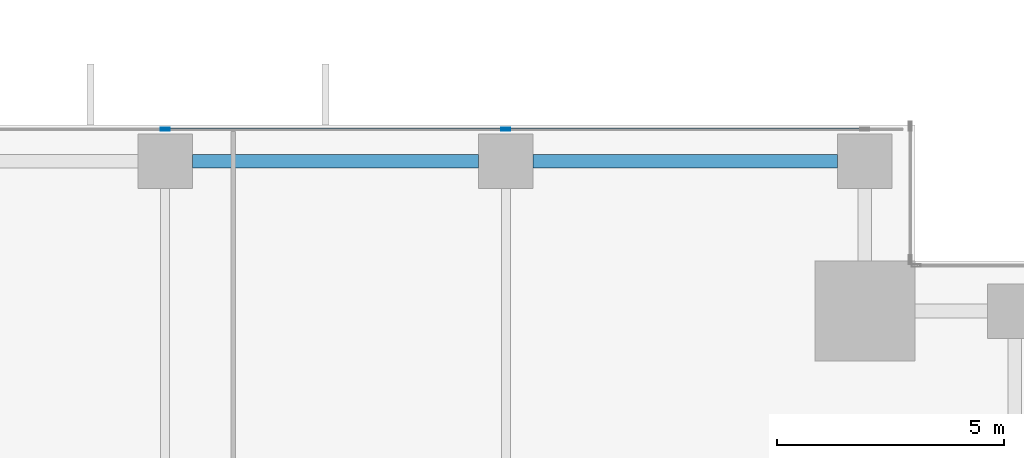
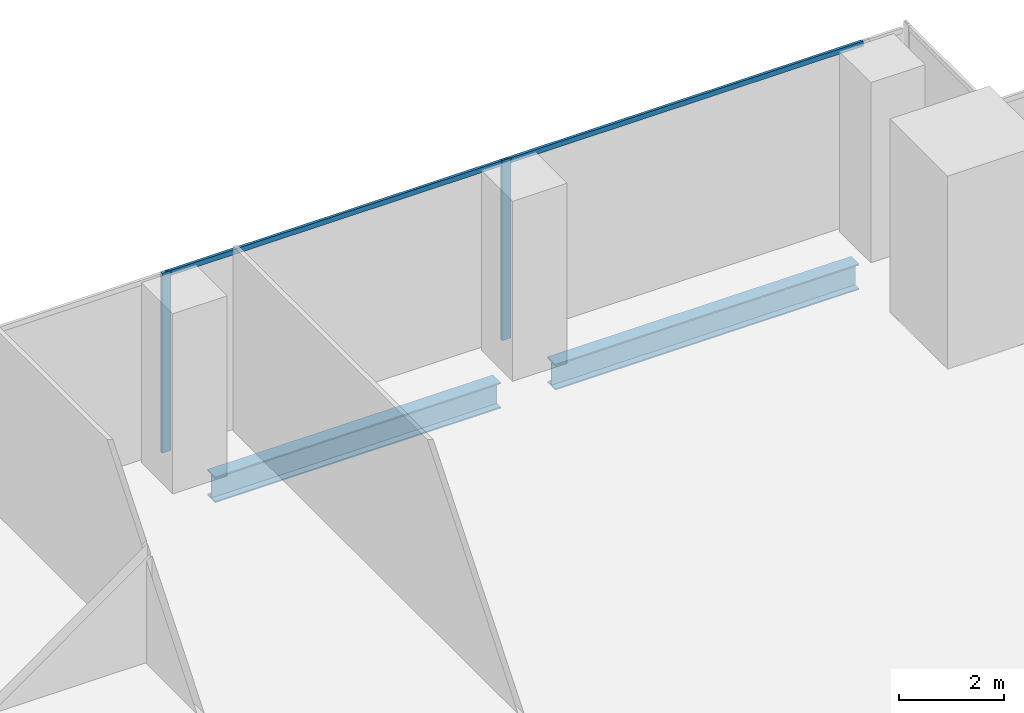
# One storey, part 18 of 32: 4 members, 2 beams, 1 element without a shape of its own.
"""IFC4 building model written with IfcOpenShell, lengths in metres."""

from ifc_helpers import new_model, si_unit, direction, frame, origin, origin_2d, place, context, subcontext, project, spatial, hollow_rectangle, i_section, extrude, source, transform, mapped, material, material_profile, profile_set, type_object, element, aggregate, save


model = new_model("IFC4")

# Units and contexts
model_context = context("Model", 3, precision=1e-05, world=origin(), true_north=direction((0.0, 1.0)))
body_context = subcontext(model_context, "Body", "Model", "MODEL_VIEW")
ifc_project = project(units=[si_unit("LENGTHUNIT", "METRE"), si_unit("AREAUNIT", "SQUARE_METRE"), si_unit("VOLUMEUNIT", "CUBIC_METRE"), si_unit("PLANEANGLEUNIT", "RADIAN"), si_unit("MASSUNIT", "GRAM", prefix="KILO")], contexts=[model_context])

# Site, building, storey
site_placement = place(None, origin())
site = spatial("IfcSite", under=ifc_project, at=site_placement, CompositionType="ELEMENT")
building_placement = place(site_placement, origin())
building = spatial("IfcBuilding", under=site, at=building_placement, Name="Khomas Fold Tower", CompositionType="ELEMENT")
storey_placement = place(building_placement, frame((0.0, 0.0, 64.5)))
storey = spatial("IfcBuildingStorey", under=building, at=storey_placement, Name="L13", CompositionType="ELEMENT", Elevation=64.5)

# Beams
ifc_material_1 = material(Name="Steel S355", Category="steel")
ifc_material_profile_1 = material_profile(ifc_material_1, i_section(OverallWidth=0.300048828125, OverallDepth=0.60009765625, WebThickness=0.015380859375, FlangeThickness=0.030029296875, at=origin_2d()), Name="HE 600 B")
ifc_profile_set_1 = profile_set([ifc_material_profile_1], Name="Steel S355")
beam_type = type_object("IfcBeamType", Name="HE 600 B spandrel SB1", PredefinedType="SPANDREL", material=ifc_profile_set_1)
shared_shape_1 = source(origin(), body_context, "Body", "SweptSolid", [
    extrude(i_section(OverallWidth=0.300048828125, OverallDepth=0.60009765625, WebThickness=0.015380859375, FlangeThickness=0.030029296875, at=origin_2d()), origin(), (0.0, 0.0, 1.0), 6.699951171875),
])
beam_1_placement = place(storey_placement, frame((42.60009765625, 53.199951171875, -0.60009765625), z_axis=(1.0, 0.0, 0.0), x_axis=(0.0, 1.0, 0.0)))
element("IfcBeam", 1, at=beam_1_placement, inside=storey, type_object=beam_type, Name="SB1", PredefinedType="SPANDREL", context=body_context, shape_type="MappedRepresentation", body=[
    mapped(shared_shape_1, transform((0.0, 0.0, 0.0))),
])
shared_shape_2 = source(origin(), body_context, "Body", "SweptSolid", [
    extrude(i_section(OverallWidth=0.300048828125, OverallDepth=0.60009765625, WebThickness=0.015380859375, FlangeThickness=0.030029296875, at=origin_2d()), origin(), (0.0, 0.0, 1.0), 6.2998046875),
])
beam_2_placement = place(storey_placement, frame((35.10009765625, 53.199951171875, -0.60009765625), z_axis=(1.0, 0.0, 0.0), x_axis=(0.0, 1.0, 0.0)))
element("IfcBeam", 2, at=beam_2_placement, inside=storey, type_object=beam_type, Name="SB1", PredefinedType="SPANDREL", context=body_context, shape_type="MappedRepresentation", body=[
    mapped(shared_shape_2, transform((0.0, 0.0, 0.0))),
])

# Curtain wall, members
ifc_material_2 = material(Name="Aluminium framed double glazing", Category="aluminium")
curtain_wall_type = type_object("IfcCurtainWallType", Name="SK-Unitised clear-glass wall, growing floors CW1", PredefinedType="NOTDEFINED", material=ifc_material_2)
curtain_wall_placement = place(storey_placement, origin())
curtain_wall = element("IfcCurtainWall", 3, at=curtain_wall_placement, inside=storey, type_object=curtain_wall_type, Name="CW1 run L13 06-0", PredefinedType="NOTDEFINED")
ifc_material_3 = material(Name="Aluminium", Category="aluminium")
ifc_material_profile_2 = material_profile(ifc_material_3, hollow_rectangle(XDim=0.06005859375, YDim=0.1201171875, WallThickness=0.00390625, at=origin_2d()), Name="SK-Unitised clear-glass wall, growing floors transom CW1-T")
ifc_profile_set_2 = profile_set([ifc_material_profile_2], Name="Aluminium")
member_type_1 = type_object("IfcMemberType", Name="SK-Unitised clear-glass wall, growing floors transom CW1-T", PredefinedType="USERDEFINED", material=ifc_profile_set_2)
shared_shape_3 = source(origin(), body_context, "Body", "SweptSolid", [
    extrude(hollow_rectangle(XDim=0.06005859375, YDim=0.1201171875, WallThickness=0.00390625, at=origin_2d()), origin(), (0.0, 0.0, 1.0), 7.840087890625),
])
member_1_placement = place(storey_placement, frame((49.8701171875, 53.89990234375, 4.139892578125), z_axis=(-1.0, 0.0, 0.0), x_axis=(0.0, -1.0, 0.0)))
member_1 = element("IfcMember", 4, at=member_1_placement, type_object=member_type_1, Name="CW1 transom 2", ObjectType="TRANSOM", PredefinedType="USERDEFINED", context=body_context, shape_type="MappedRepresentation", body=[
    mapped(shared_shape_3, transform((0.0, 0.0, 0.0))),
])
shared_shape_4 = source(origin(), body_context, "Body", "SweptSolid", [
    extrude(hollow_rectangle(XDim=0.06005859375, YDim=0.1201171875, WallThickness=0.00390625, at=origin_2d()), origin(), (0.0, 0.0, 1.0), 7.43994140625),
])
member_2_placement = place(storey_placement, frame((41.969970703125, 53.89990234375, 4.139892578125), z_axis=(-1.0, 0.0, 0.0), x_axis=(0.0, -1.0, 0.0)))
member_2 = element("IfcMember", 5, at=member_2_placement, type_object=member_type_1, Name="CW1 transom 3", ObjectType="TRANSOM", PredefinedType="USERDEFINED", context=body_context, shape_type="MappedRepresentation", body=[
    mapped(shared_shape_4, transform((0.0, 0.0, 0.0))),
])
ifc_material_4 = material(Name="Aluminium", Category="aluminium")
ifc_material_profile_3 = material_profile(ifc_material_4, hollow_rectangle(XDim=0.06005859375, YDim=0.199951171875, WallThickness=0.00390625, at=origin_2d()), Name="SK-Unitised clear-glass wall, growing floors mullion CW1-M")
ifc_profile_set_3 = profile_set([ifc_material_profile_3], Name="Aluminium")
member_type_2 = type_object("IfcMemberType", Name="SK-Unitised clear-glass wall, growing floors mullion CW1-M", PredefinedType="MULLION", material=ifc_profile_set_3)
shared_shape_5 = source(origin(), body_context, "Body", "SweptSolid", [
    extrude(hollow_rectangle(XDim=0.06005859375, YDim=0.199951171875, WallThickness=0.00390625, at=origin_2d()), origin(), (0.0, 0.0, 1.0), 4.199951171875),
])
member_3_placement = place(storey_placement, frame((42.0, 53.89990234375, 0.0), z_axis=(0.0, 0.0, 1.0), x_axis=(0.0, -1.0, 0.0)))
member_3 = element("IfcMember", 6, at=member_3_placement, type_object=member_type_2, Name="CW1 mullion 3", PredefinedType="MULLION", context=body_context, shape_type="MappedRepresentation", body=[
    mapped(shared_shape_5, transform((0.0, 0.0, 0.0))),
])
member_4_placement = place(storey_placement, frame((34.5, 53.89990234375, 0.0), z_axis=(0.0, 0.0, 1.0), x_axis=(0.0, -1.0, 0.0)))
member_4 = element("IfcMember", 7, at=member_4_placement, type_object=member_type_2, Name="CW1 mullion 4", PredefinedType="MULLION", context=body_context, shape_type="MappedRepresentation", body=[
    mapped(shared_shape_5, transform((0.0, 0.0, 0.0))),
])
aggregate(curtain_wall, [member_3, member_4, member_1, member_2])

save(model, "model.ifc")
